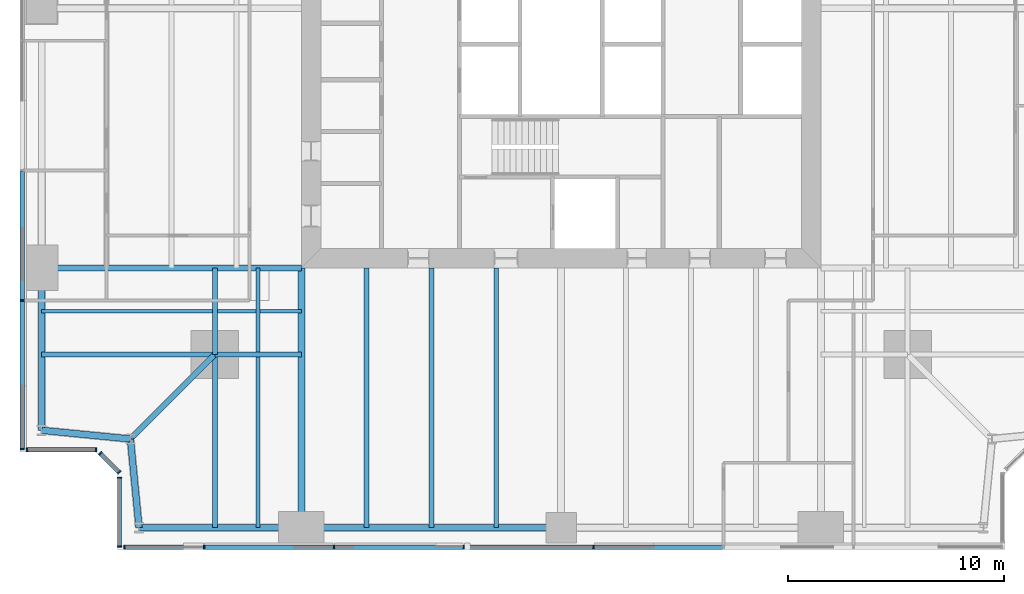
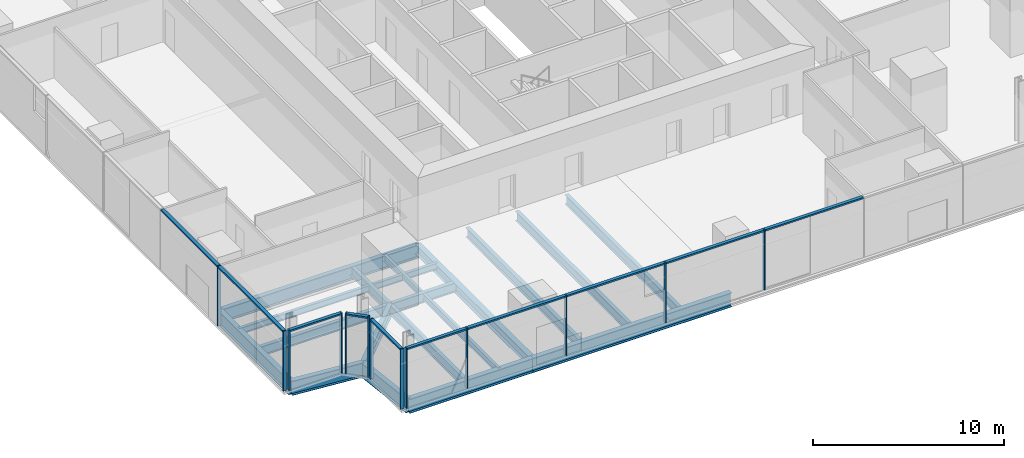
# One storey, part 2 of 14: 23 members, 20 beams, 5 elements without a shape of their own.
"""IFC4 building model written with IfcOpenShell, lengths in metres."""

from ifc_helpers import new_model, si_unit, direction, frame, origin, origin_2d, place, context, subcontext, project, spatial, rectangle, i_section, extrude, material, material_profile, profile_set, type_object, element, aggregate, save


model = new_model("IFC4")

# Units and contexts
model_context = context("Model", 3, precision=1e-05, world=origin(), true_north=direction((0.0, 1.0)))
body_context = subcontext(model_context, "Body", "Model", "MODEL_VIEW")
ifc_project = project(units=[si_unit("LENGTHUNIT", "METRE"), si_unit("AREAUNIT", "SQUARE_METRE"), si_unit("VOLUMEUNIT", "CUBIC_METRE"), si_unit("PLANEANGLEUNIT", "RADIAN"), si_unit("MASSUNIT", "GRAM", prefix="KILO")], contexts=[model_context])

# Site, building, storey
site_placement = place(None, origin())
site = spatial("IfcSite", under=ifc_project, at=site_placement, CompositionType="ELEMENT")
building_placement = place(site_placement, origin())
building = spatial("IfcBuilding", under=site, at=building_placement, Name="Fenwick Lantern Interchange", CompositionType="ELEMENT")
storey_placement = place(building_placement, frame((0.0, 0.0, 122.39990234375)))
storey = spatial("IfcBuildingStorey", under=building, at=storey_placement, Name="L28", CompositionType="ELEMENT", Elevation=122.39990234375)

# Beams
ifc_material_1 = material(Name="Steel ASTM A992 Grade 50", Category="steel")
ifc_material_profile_1 = material_profile(ifc_material_1, i_section(OverallWidth=0.3046875, OverallDepth=0.911865234375, WebThickness=0.015869140625, FlangeThickness=0.02392578125, at=origin_2d()), Name="W36X150")
ifc_profile_set_1 = profile_set([ifc_material_profile_1], Name="Steel ASTM A992 Grade 50")
beam_type_1 = type_object("IfcBeamType", Name="EDGE BEAM W36X150", PredefinedType="SPANDREL", material=ifc_profile_set_1)
beam_1_placement = place(storey_placement, frame((5.5, 1.0, -0.605712890625), z_axis=(1.0, 0.0, 0.0), x_axis=(0.0, 1.0, 0.0)))
element("IfcBeam", 1, at=beam_1_placement, inside=storey, type_object=beam_type_1, Name="L28/FR/S/EB1", PredefinedType="SPANDREL", context=body_context, shape_type="SweptSolid", body=[
    extrude(i_section(OverallWidth=0.3046875, OverallDepth=0.911865234375, WebThickness=0.015869140625, FlangeThickness=0.02392578125, at=origin_2d()), origin(), (0.0, 0.0, 1.0), 7.5),
])
beam_2_placement = place(storey_placement, frame((13.0, 1.0, -0.605712890625), z_axis=(1.0, 0.0, 0.0), x_axis=(0.0, 1.0, 0.0)))
element("IfcBeam", 2, at=beam_2_placement, inside=storey, type_object=beam_type_1, Name="L28/FR/S/EB2", PredefinedType="SPANDREL", context=body_context, shape_type="SweptSolid", body=[
    extrude(i_section(OverallWidth=0.3046875, OverallDepth=0.911865234375, WebThickness=0.015869140625, FlangeThickness=0.02392578125, at=origin_2d()), origin(), (0.0, 0.0, 1.0), 12.0),
])
beam_3_placement = place(storey_placement, frame((1.0, 13.0, -0.605712890625), z_axis=(0.0, -1.0, 0.0), x_axis=(1.0, 0.0, 0.0)))
element("IfcBeam", 3, at=beam_3_placement, inside=storey, type_object=beam_type_1, Name="L28/FR/W/EB4", PredefinedType="SPANDREL", context=body_context, shape_type="SweptSolid", body=[
    extrude(i_section(OverallWidth=0.3046875, OverallDepth=0.911865234375, WebThickness=0.015869140625, FlangeThickness=0.02392578125, at=origin_2d()), origin(), (0.0, 0.0, 1.0), 7.5),
])
for number, where, z_axis, x_axis, name in (
    (4, (1.0, 5.5, -0.605712890625), (0.995277148028, -0.097074191287, 0.0), (0.097074191287, 0.995277148028, 0.0), "L28/FR/W/EBR1"),
    (5, (5.10009765625, 5.10009765625, -0.605712890625), (0.097074191287, -0.995277148028, 0.0), (0.995277148028, 0.097074191287, 0.0), "L28/FR/W/EBR2"),
):
    element("IfcBeam", number, at=place(storey_placement, frame(where, z_axis=z_axis, x_axis=x_axis)), inside=storey, type_object=beam_type_1, Name=name, PredefinedType="SPANDREL", context=body_context, shape_type="SweptSolid", body=[
        extrude(i_section(OverallWidth=0.3046875, OverallDepth=0.911865234375, WebThickness=0.015869140625, FlangeThickness=0.02392578125, at=origin_2d()), origin(), (0.0, 0.0, 1.0), 4.11962890625),
    ])
ifc_material_profile_2 = material_profile(ifc_material_1, i_section(OverallWidth=0.22900390625, OverallDepth=0.612060546875, WebThickness=0.011962890625, FlangeThickness=0.01953125, at=origin_2d()), Name="W24X84")
ifc_profile_set_2 = profile_set([ifc_material_profile_2], Name="Steel ASTM A992 Grade 50")
beam_type_2 = type_object("IfcBeamType", Name="FLOOR BEAM W24X84", PredefinedType="BEAM", material=ifc_profile_set_2)
for number, where, z_axis, x_axis, name in (
    (6, (16.0, 1.0, -0.4560546875), (0.0, 1.0, 0.0), (-1.0, 0.0, 0.0), "L28/FR/S/R02"),
    (7, (19.0, 1.0, -0.4560546875), (0.0, 1.0, 0.0), (-1.0, 0.0, 0.0), "L28/FR/S/R03"),
    (8, (22.0, 1.0, -0.4560546875), (0.0, 1.0, 0.0), (-1.0, 0.0, 0.0), "L28/FR/S/R04"),
):
    element("IfcBeam", number, at=place(storey_placement, frame(where, z_axis=z_axis, x_axis=x_axis)), inside=storey, type_object=beam_type_2, Name=name, PredefinedType="BEAM", context=body_context, shape_type="SweptSolid", body=[
        extrude(i_section(OverallWidth=0.22900390625, OverallDepth=0.612060546875, WebThickness=0.011962890625, FlangeThickness=0.01953125, at=origin_2d()), origin(), (0.0, 0.0, 1.0), 12.0),
    ])
ifc_material_profile_3 = material_profile(ifc_material_1, i_section(OverallWidth=0.177734375, OverallDepth=0.406494140625, WebThickness=0.0078125, FlangeThickness=0.012939453125, at=origin_2d()), Name="W16X40")
ifc_profile_set_3 = profile_set([ifc_material_profile_3], Name="Steel ASTM A992 Grade 50")
beam_type_3 = type_object("IfcBeamType", Name="INFILL BEAM W16X40", PredefinedType="JOIST", material=ifc_profile_set_3)
beam_4_placement = place(storey_placement, frame((11.0, 1.0, -0.35302734375), z_axis=(0.0, 1.0, 0.0), x_axis=(-1.0, 0.0, 0.0)))
element("IfcBeam", 9, at=beam_4_placement, inside=storey, type_object=beam_type_3, Name="L28/FR/S/J1", PredefinedType="JOIST", context=body_context, shape_type="SweptSolid", body=[
    extrude(i_section(OverallWidth=0.177734375, OverallDepth=0.406494140625, WebThickness=0.0078125, FlangeThickness=0.012939453125, at=origin_2d()), origin(), (0.0, 0.0, 1.0), 7.885498046875),
])
beam_5_placement = place(storey_placement, frame((11.0, 9.114501953125, -0.35302734375), z_axis=(0.0, 1.0, 0.0), x_axis=(-1.0, 0.0, 0.0)))
element("IfcBeam", 10, at=beam_5_placement, inside=storey, type_object=beam_type_3, Name="L28/FR/S/J2", PredefinedType="JOIST", context=body_context, shape_type="SweptSolid", body=[
    extrude(i_section(OverallWidth=0.177734375, OverallDepth=0.406494140625, WebThickness=0.0078125, FlangeThickness=0.012939453125, at=origin_2d()), origin(), (0.0, 0.0, 1.0), 3.885498046875),
])
beam_6_placement = place(storey_placement, frame((1.0, 11.0, -0.35302734375), z_axis=(1.0, 0.0, 0.0), x_axis=(0.0, 1.0, 0.0)))
element("IfcBeam", 11, at=beam_6_placement, inside=storey, type_object=beam_type_3, Name="L28/FR/S/J3", PredefinedType="JOIST", context=body_context, shape_type="SweptSolid", body=[
    extrude(i_section(OverallWidth=0.177734375, OverallDepth=0.406494140625, WebThickness=0.0078125, FlangeThickness=0.012939453125, at=origin_2d()), origin(), (0.0, 0.0, 1.0), 7.885498046875),
])
beam_7_placement = place(storey_placement, frame((9.114501953125, 11.0, -0.35302734375), z_axis=(1.0, 0.0, 0.0), x_axis=(0.0, 1.0, 0.0)))
element("IfcBeam", 12, at=beam_7_placement, inside=storey, type_object=beam_type_3, Name="L28/FR/S/J4", PredefinedType="JOIST", context=body_context, shape_type="SweptSolid", body=[
    extrude(i_section(OverallWidth=0.177734375, OverallDepth=0.406494140625, WebThickness=0.0078125, FlangeThickness=0.012939453125, at=origin_2d()), origin(), (0.0, 0.0, 1.0), 1.796630859375),
])
beam_8_placement = place(storey_placement, frame((11.0888671875, 11.0, -0.35302734375), z_axis=(1.0, 0.0, 0.0), x_axis=(0.0, 1.0, 0.0)))
element("IfcBeam", 13, at=beam_8_placement, inside=storey, type_object=beam_type_3, Name="L28/FR/S/J5", PredefinedType="JOIST", context=body_context, shape_type="SweptSolid", body=[
    extrude(i_section(OverallWidth=0.177734375, OverallDepth=0.406494140625, WebThickness=0.0078125, FlangeThickness=0.012939453125, at=origin_2d()), origin(), (0.0, 0.0, 1.0), 1.9111328125),
])
ifc_material_profile_4 = material_profile(ifc_material_1, i_section(OverallWidth=0.22900390625, OverallDepth=0.612060546875, WebThickness=0.011962890625, FlangeThickness=0.01953125, at=origin_2d()), Name="W24X84")
ifc_profile_set_4 = profile_set([ifc_material_profile_4], Name="Steel ASTM A992 Grade 50")
beam_type_4 = type_object("IfcBeamType", Name="MEGA COLUMN BEAM W24X84", PredefinedType="BEAM", material=ifc_profile_set_4)
for number, where, z_axis, x_axis, name in (
    (14, (9.0, 9.0, -0.4560546875), (0.0, -1.0, 0.0), (1.0, 0.0, 0.0), "L28/FR/S/MB1"),
    (15, (9.0, 9.0, -0.4560546875), (-1.0, 0.0, 0.0), (0.0, -1.0, 0.0), "L28/FR/S/MB2"),
):
    element("IfcBeam", number, at=place(storey_placement, frame(where, z_axis=z_axis, x_axis=x_axis)), inside=storey, type_object=beam_type_4, Name=name, PredefinedType="BEAM", context=body_context, shape_type="SweptSolid", body=[
        extrude(i_section(OverallWidth=0.22900390625, OverallDepth=0.612060546875, WebThickness=0.011962890625, FlangeThickness=0.01953125, at=origin_2d()), origin(), (0.0, 0.0, 1.0), 8.0),
    ])
for number, where, z_axis, x_axis, name in (
    (16, (9.0, 9.0, -0.4560546875), (1.0, 0.0, 0.0), (0.0, 1.0, 0.0), "L28/FR/S/MB3"),
    (17, (9.0, 9.0, -0.4560546875), (0.0, 1.0, 0.0), (-1.0, 0.0, 0.0), "L28/FR/S/MB4"),
):
    element("IfcBeam", number, at=place(storey_placement, frame(where, z_axis=z_axis, x_axis=x_axis)), inside=storey, type_object=beam_type_4, Name=name, PredefinedType="BEAM", context=body_context, shape_type="SweptSolid", body=[
        extrude(i_section(OverallWidth=0.22900390625, OverallDepth=0.612060546875, WebThickness=0.011962890625, FlangeThickness=0.01953125, at=origin_2d()), origin(), (0.0, 0.0, 1.0), 4.0),
    ])
ifc_material_profile_5 = material_profile(ifc_material_1, i_section(OverallWidth=0.32763671875, OverallDepth=0.622314453125, WebThickness=0.015380859375, FlangeThickness=0.0244140625, at=origin_2d()), Name="W24X131")
ifc_profile_set_5 = profile_set([ifc_material_profile_5], Name="Steel ASTM A992 Grade 50")
beam_type_5 = type_object("IfcBeamType", Name="MOMENT-CONNECTED GIRDER W24X131", PredefinedType="BEAM", material=ifc_profile_set_5)
beam_9_placement = place(storey_placement, frame((13.0, 1.0, -0.4609375), z_axis=(0.0, 1.0, 0.0), x_axis=(-1.0, 0.0, 0.0)))
element("IfcBeam", 18, at=beam_9_placement, inside=storey, type_object=beam_type_5, Name="L28/FR/S/R01", PredefinedType="BEAM", context=body_context, shape_type="SweptSolid", body=[
    extrude(i_section(OverallWidth=0.32763671875, OverallDepth=0.622314453125, WebThickness=0.015380859375, FlangeThickness=0.0244140625, at=origin_2d()), origin(), (0.0, 0.0, 1.0), 12.0),
])
ifc_material_profile_6 = material_profile(ifc_material_1, i_section(OverallWidth=0.2919921875, OverallDepth=0.845703125, WebThickness=0.015380859375, FlangeThickness=0.0244140625, at=origin_2d()), Name="W33X141")
ifc_profile_set_6 = profile_set([ifc_material_profile_6], Name="Steel ASTM A992 Grade 50")
beam_type_6 = type_object("IfcBeamType", Name="MOMENT-CONNECTED GIRDER W33X141", PredefinedType="BEAM", material=ifc_profile_set_6)
beam_10_placement = place(storey_placement, frame((1.0, 13.0, -0.57275390625), z_axis=(1.0, 0.0, 0.0), x_axis=(0.0, 1.0, 0.0)))
element("IfcBeam", 19, at=beam_10_placement, inside=storey, type_object=beam_type_6, Name="L28/FR/W/R03", PredefinedType="BEAM", context=body_context, shape_type="SweptSolid", body=[
    extrude(i_section(OverallWidth=0.2919921875, OverallDepth=0.845703125, WebThickness=0.015380859375, FlangeThickness=0.0244140625, at=origin_2d()), origin(), (0.0, 0.0, 1.0), 12.0),
])
ifc_material_profile_7 = material_profile(ifc_material_1, i_section(OverallWidth=0.2666015625, OverallDepth=0.7568359375, WebThickness=0.013916015625, FlangeThickness=0.019287109375, at=origin_2d()), Name="W30X108")
ifc_profile_set_7 = profile_set([ifc_material_profile_7], Name="Steel ASTM A992 Grade 50")
beam_type_7 = type_object("IfcBeamType", Name="NOTCH BEAM W30X108", PredefinedType="BEAM", material=ifc_profile_set_7)
beam_11_placement = place(storey_placement, frame((9.0, 9.0, -0.5283203125), z_axis=(-0.707106781187, -0.707106781187, 0.0), x_axis=(0.707106781187, -0.707106781187, 0.0)))
element("IfcBeam", 20, at=beam_11_placement, inside=storey, type_object=beam_type_7, Name="L28/FR/S/TG", PredefinedType="BEAM", context=body_context, shape_type="SweptSolid", body=[
    extrude(i_section(OverallWidth=0.2666015625, OverallDepth=0.7568359375, WebThickness=0.013916015625, FlangeThickness=0.019287109375, at=origin_2d()), origin(), (0.0, 0.0, 1.0), 5.515380859375),
])

# Curtain wall, members
ifc_material_2 = material(Name="Aluminium curtain wall frame", Category="aluminium")
curtain_wall_type = type_object("IfcCurtainWallType", Name="OFFICE CURTAIN WALL", PredefinedType="USERDEFINED", material=ifc_material_2)
curtain_wall_1_placement = place(storey_placement, origin())
curtain_wall_1 = element("IfcCurtainWall", 21, at=curtain_wall_1_placement, inside=storey, type_object=curtain_wall_type, Name="Office curtain wall 01", ObjectType="OFFICE CURTAIN WALL", PredefinedType="USERDEFINED")
ifc_material_3 = material(Name="Aluminium extrusion", Category="aluminium")
ifc_material_profile_8 = material_profile(ifc_material_3, rectangle(XDim=0.199951171875, YDim=0.06494140625, at=origin_2d()), Name="OFFICE CURTAIN WALL MULLION 65 X 200")
ifc_profile_set_8 = profile_set([ifc_material_profile_8], Name="Aluminium extrusion")
member_type_1 = type_object("IfcMemberType", Name="OFFICE CURTAIN WALL MULLION 65 X 200", PredefinedType="MULLION", material=ifc_profile_set_8)
member_1_placement = place(storey_placement, frame((4.83251953125, 0.10009765625, 0.0), z_axis=(0.0, 0.0, 1.0), x_axis=(0.0, 1.0, 0.0)))
member_1 = element("IfcMember", 22, at=member_1_placement, type_object=member_type_1, Name="L28/CW/01/M00", PredefinedType="MULLION", context=body_context, shape_type="SweptSolid", body=[
    extrude(rectangle(XDim=0.199951171875, YDim=0.06494140625, at=origin_2d()), origin(), (0.0, 0.0, 1.0), 3.85009765625),
])
member_2_placement = place(storey_placement, frame((8.5, 0.10009765625, 0.0), z_axis=(0.0, 0.0, 1.0), x_axis=(0.0, 1.0, 0.0)))
member_2 = element("IfcMember", 23, at=member_2_placement, type_object=member_type_1, Name="L28/CW/01/M01", PredefinedType="MULLION", context=body_context, shape_type="SweptSolid", body=[
    extrude(rectangle(XDim=0.199951171875, YDim=0.06494140625, at=origin_2d()), origin(), (0.0, 0.0, 1.0), 3.85009765625),
])
member_3_placement = place(storey_placement, frame((14.5, 0.10009765625, 0.0), z_axis=(0.0, 0.0, 1.0), x_axis=(0.0, 1.0, 0.0)))
member_3 = element("IfcMember", 24, at=member_3_placement, type_object=member_type_1, Name="L28/CW/01/M02", PredefinedType="MULLION", context=body_context, shape_type="SweptSolid", body=[
    extrude(rectangle(XDim=0.199951171875, YDim=0.06494140625, at=origin_2d()), origin(), (0.0, 0.0, 1.0), 3.85009765625),
])
member_4_placement = place(storey_placement, frame((20.5, 0.10009765625, 0.0), z_axis=(0.0, 0.0, 1.0), x_axis=(0.0, 1.0, 0.0)))
member_4 = element("IfcMember", 25, at=member_4_placement, type_object=member_type_1, Name="L28/CW/01/M03", PredefinedType="MULLION", context=body_context, shape_type="SweptSolid", body=[
    extrude(rectangle(XDim=0.199951171875, YDim=0.06494140625, at=origin_2d()), origin(), (0.0, 0.0, 1.0), 3.85009765625),
])
member_5_placement = place(storey_placement, frame((26.5, 0.10009765625, 0.0), z_axis=(0.0, 0.0, 1.0), x_axis=(0.0, 1.0, 0.0)))
member_5 = element("IfcMember", 26, at=member_5_placement, type_object=member_type_1, Name="L28/CW/01/M04", PredefinedType="MULLION", context=body_context, shape_type="SweptSolid", body=[
    extrude(rectangle(XDim=0.199951171875, YDim=0.06494140625, at=origin_2d()), origin(), (0.0, 0.0, 1.0), 3.85009765625),
])

curtain_wall_2_placement = place(storey_placement, origin())
curtain_wall_2 = element("IfcCurtainWall", 27, at=curtain_wall_2_placement, inside=storey, type_object=curtain_wall_type, Name="Office curtain wall 13", ObjectType="OFFICE CURTAIN WALL", PredefinedType="USERDEFINED")
member_6_placement = place(storey_placement, frame((0.10009765625, 11.5, 0.0), z_axis=(0.0, 0.0, 1.0), x_axis=(1.0, 0.0, 0.0)))
member_6 = element("IfcMember", 28, at=member_6_placement, type_object=member_type_1, Name="L28/CW/13/M06", PredefinedType="MULLION", context=body_context, shape_type="SweptSolid", body=[
    extrude(rectangle(XDim=0.199951171875, YDim=0.06494140625, at=origin_2d()), origin(), (0.0, 0.0, 1.0), 3.85009765625),
])
member_7_placement = place(storey_placement, frame((0.10009765625, 4.632568359375, 0.0), z_axis=(0.0, 0.0, 1.0), x_axis=(1.0, 0.0, 0.0)))
member_7 = element("IfcMember", 29, at=member_7_placement, type_object=member_type_1, Name="L28/CW/13/M07", PredefinedType="MULLION", context=body_context, shape_type="SweptSolid", body=[
    extrude(rectangle(XDim=0.199951171875, YDim=0.06494140625, at=origin_2d()), origin(), (0.0, 0.0, 1.0), 3.85009765625),
])

curtain_wall_3_placement = place(storey_placement, origin())
curtain_wall_3 = element("IfcCurtainWall", 30, at=curtain_wall_3_placement, inside=storey, type_object=curtain_wall_type, Name="Office curtain wall 14", ObjectType="OFFICE CURTAIN WALL", PredefinedType="USERDEFINED")
member_8_placement = place(storey_placement, frame((0.33251953125, 4.60009765625, 0.0), z_axis=(0.0, 0.0, 1.0), x_axis=(0.0, 1.0, 0.0)))
member_8 = element("IfcMember", 31, at=member_8_placement, type_object=member_type_1, Name="L28/CW/14/M00", PredefinedType="MULLION", context=body_context, shape_type="SweptSolid", body=[
    extrude(rectangle(XDim=0.199951171875, YDim=0.06494140625, at=origin_2d()), origin(), (0.0, 0.0, 1.0), 3.85009765625),
])
member_9_placement = place(storey_placement, frame((3.509033203125, 4.60009765625, 0.0), z_axis=(0.0, 0.0, 1.0), x_axis=(0.0, 1.0, 0.0)))
member_9 = element("IfcMember", 32, at=member_9_placement, type_object=member_type_1, Name="L28/CW/14/M01", PredefinedType="MULLION", context=body_context, shape_type="SweptSolid", body=[
    extrude(rectangle(XDim=0.199951171875, YDim=0.06494140625, at=origin_2d()), origin(), (0.0, 0.0, 1.0), 3.85009765625),
])

curtain_wall_4_placement = place(storey_placement, origin())
curtain_wall_4 = element("IfcCurtainWall", 33, at=curtain_wall_4_placement, inside=storey, type_object=curtain_wall_type, Name="Office curtain wall 15", ObjectType="OFFICE CURTAIN WALL", PredefinedType="USERDEFINED")
member_10_placement = place(storey_placement, frame((3.705810546875, 4.435546875, 0.0), z_axis=(0.0, 0.0, 1.0), x_axis=(0.707106781187, 0.707106781187, 0.0)))
member_10 = element("IfcMember", 34, at=member_10_placement, type_object=member_type_1, Name="L28/CW/15/M00", PredefinedType="MULLION", context=body_context, shape_type="SweptSolid", body=[
    extrude(rectangle(XDim=0.199951171875, YDim=0.06494140625, at=origin_2d()), origin(), (0.0, 0.0, 1.0), 3.85009765625),
])
member_11_placement = place(storey_placement, frame((4.576904296875, 3.564453125, 0.0), z_axis=(0.0, 0.0, 1.0), x_axis=(0.707106781187, 0.707106781187, 0.0)))
member_11 = element("IfcMember", 35, at=member_11_placement, type_object=member_type_1, Name="L28/CW/15/M01", PredefinedType="MULLION", context=body_context, shape_type="SweptSolid", body=[
    extrude(rectangle(XDim=0.199951171875, YDim=0.06494140625, at=origin_2d()), origin(), (0.0, 0.0, 1.0), 3.85009765625),
])

curtain_wall_5_placement = place(storey_placement, origin())
curtain_wall_5 = element("IfcCurtainWall", 36, at=curtain_wall_5_placement, inside=storey, type_object=curtain_wall_type, Name="Office curtain wall 16", ObjectType="OFFICE CURTAIN WALL", PredefinedType="USERDEFINED")
member_12_placement = place(storey_placement, frame((4.60009765625, 3.308837890625, 0.0), z_axis=(0.0, 0.0, 1.0), x_axis=(1.0, 0.0, 0.0)))
member_12 = element("IfcMember", 37, at=member_12_placement, type_object=member_type_1, Name="L28/CW/16/M00", PredefinedType="MULLION", context=body_context, shape_type="SweptSolid", body=[
    extrude(rectangle(XDim=0.199951171875, YDim=0.06494140625, at=origin_2d()), origin(), (0.0, 0.0, 1.0), 3.85009765625),
])
member_13_placement = place(storey_placement, frame((4.60009765625, 0.132568359375, 0.0), z_axis=(0.0, 0.0, 1.0), x_axis=(1.0, 0.0, 0.0)))
member_13 = element("IfcMember", 38, at=member_13_placement, type_object=member_type_1, Name="L28/CW/16/M01", PredefinedType="MULLION", context=body_context, shape_type="SweptSolid", body=[
    extrude(rectangle(XDim=0.199951171875, YDim=0.06494140625, at=origin_2d()), origin(), (0.0, 0.0, 1.0), 3.85009765625),
])

# Member
ifc_material_profile_9 = material_profile(ifc_material_3, rectangle(XDim=0.199951171875, YDim=0.10009765625, at=origin_2d()), Name="OFFICE CURTAIN WALL TRANSOM 100 X 200")
ifc_profile_set_9 = profile_set([ifc_material_profile_9], Name="Aluminium extrusion")
member_type_2 = type_object("IfcMemberType", Name="OFFICE CURTAIN WALL TRANSOM 100 X 200", PredefinedType="MULLION", material=ifc_profile_set_9)
member_14_placement = place(storey_placement, frame((4.864990234375, 0.10009765625, 3.800048828125), z_axis=(1.0, 0.0, 0.0), x_axis=(0.0, 1.0, 0.0)))
member_14 = element("IfcMember", 39, at=member_14_placement, type_object=member_type_2, Name="L28/CW/01/T00", PredefinedType="MULLION", context=body_context, shape_type="SweptSolid", body=[
    extrude(rectangle(XDim=0.199951171875, YDim=0.10009765625, at=origin_2d()), origin(), (0.0, 0.0, 1.0), 3.6025390625),
])

member_15_placement = place(storey_placement, frame((8.532470703125, 0.10009765625, 3.800048828125), z_axis=(1.0, 0.0, 0.0), x_axis=(0.0, 1.0, 0.0)))
member_15 = element("IfcMember", 40, at=member_15_placement, type_object=member_type_2, Name="L28/CW/01/T01", PredefinedType="MULLION", context=body_context, shape_type="SweptSolid", body=[
    extrude(rectangle(XDim=0.199951171875, YDim=0.10009765625, at=origin_2d()), origin(), (0.0, 0.0, 1.0), 5.93505859375),
])

member_16_placement = place(storey_placement, frame((14.532470703125, 0.10009765625, 3.800048828125), z_axis=(1.0, 0.0, 0.0), x_axis=(0.0, 1.0, 0.0)))
member_16 = element("IfcMember", 41, at=member_16_placement, type_object=member_type_2, Name="L28/CW/01/T02", PredefinedType="MULLION", context=body_context, shape_type="SweptSolid", body=[
    extrude(rectangle(XDim=0.199951171875, YDim=0.10009765625, at=origin_2d()), origin(), (0.0, 0.0, 1.0), 5.93505859375),
])

member_17_placement = place(storey_placement, frame((20.532470703125, 0.10009765625, 3.800048828125), z_axis=(1.0, 0.0, 0.0), x_axis=(0.0, 1.0, 0.0)))
member_17 = element("IfcMember", 42, at=member_17_placement, type_object=member_type_2, Name="L28/CW/01/T03", PredefinedType="MULLION", context=body_context, shape_type="SweptSolid", body=[
    extrude(rectangle(XDim=0.199951171875, YDim=0.10009765625, at=origin_2d()), origin(), (0.0, 0.0, 1.0), 5.93505859375),
])

member_18_placement = place(storey_placement, frame((26.532470703125, 0.10009765625, 3.800048828125), z_axis=(1.0, 0.0, 0.0), x_axis=(0.0, 1.0, 0.0)))
member_18 = element("IfcMember", 43, at=member_18_placement, type_object=member_type_2, Name="L28/CW/01/T04", PredefinedType="MULLION", context=body_context, shape_type="SweptSolid", body=[
    extrude(rectangle(XDim=0.199951171875, YDim=0.10009765625, at=origin_2d()), origin(), (0.0, 0.0, 1.0), 5.93505859375),
])

aggregate(curtain_wall_1, [member_1, member_2, member_3, member_4, member_5, member_14, member_15, member_16, member_17, member_18])

member_19_placement = place(storey_placement, frame((0.10009765625, 17.467529296875, 3.800048828125), z_axis=(0.0, -1.0, 0.0), x_axis=(1.0, 0.0, 0.0)))
member_19 = element("IfcMember", 44, at=member_19_placement, type_object=member_type_2, Name="L28/CW/13/T05", PredefinedType="MULLION", context=body_context, shape_type="SweptSolid", body=[
    extrude(rectangle(XDim=0.199951171875, YDim=0.10009765625, at=origin_2d()), origin(), (0.0, 0.0, 1.0), 5.93505859375),
])

member_20_placement = place(storey_placement, frame((0.10009765625, 11.467529296875, 3.800048828125), z_axis=(0.0, -1.0, 0.0), x_axis=(1.0, 0.0, 0.0)))
member_20 = element("IfcMember", 45, at=member_20_placement, type_object=member_type_2, Name="L28/CW/13/T06", PredefinedType="MULLION", context=body_context, shape_type="SweptSolid", body=[
    extrude(rectangle(XDim=0.199951171875, YDim=0.10009765625, at=origin_2d()), origin(), (0.0, 0.0, 1.0), 6.802490234375),
])

aggregate(curtain_wall_2, [member_6, member_7, member_19, member_20])

member_21_placement = place(storey_placement, frame((0.364990234375, 4.60009765625, 3.800048828125), z_axis=(1.0, 0.0, 0.0), x_axis=(0.0, 1.0, 0.0)))
member_21 = element("IfcMember", 46, at=member_21_placement, type_object=member_type_2, Name="L28/CW/14/T00", PredefinedType="MULLION", context=body_context, shape_type="SweptSolid", body=[
    extrude(rectangle(XDim=0.199951171875, YDim=0.10009765625, at=origin_2d()), origin(), (0.0, 0.0, 1.0), 3.111328125),
])

aggregate(curtain_wall_3, [member_8, member_9, member_21])

member_22_placement = place(storey_placement, frame((3.728759765625, 4.41259765625, 3.800048828125), z_axis=(0.707106781187, -0.707106781187, 0.0), x_axis=(0.707106781187, 0.707106781187, 0.0)))
member_22 = element("IfcMember", 47, at=member_22_placement, type_object=member_type_2, Name="L28/CW/15/T00", PredefinedType="MULLION", context=body_context, shape_type="SweptSolid", body=[
    extrude(rectangle(XDim=0.199951171875, YDim=0.10009765625, at=origin_2d()), origin(), (0.0, 0.0, 1.0), 1.1669921875),
])

aggregate(curtain_wall_4, [member_10, member_11, member_22])

member_23_placement = place(storey_placement, frame((4.60009765625, 3.2763671875, 3.800048828125), z_axis=(0.0, -1.0, 0.0), x_axis=(1.0, 0.0, 0.0)))
member_23 = element("IfcMember", 48, at=member_23_placement, type_object=member_type_2, Name="L28/CW/16/T00", PredefinedType="MULLION", context=body_context, shape_type="SweptSolid", body=[
    extrude(rectangle(XDim=0.199951171875, YDim=0.10009765625, at=origin_2d()), origin(), (0.0, 0.0, 1.0), 3.111328125),
])

aggregate(curtain_wall_5, [member_12, member_13, member_23])

save(model, "model.ifc")
